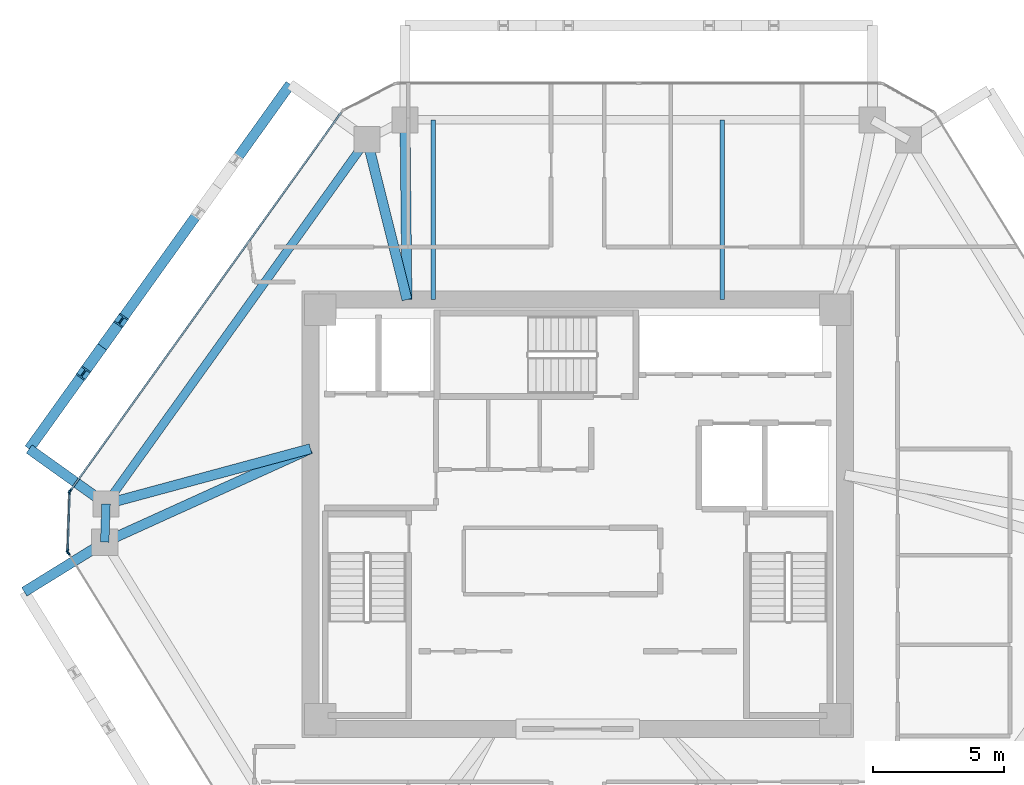
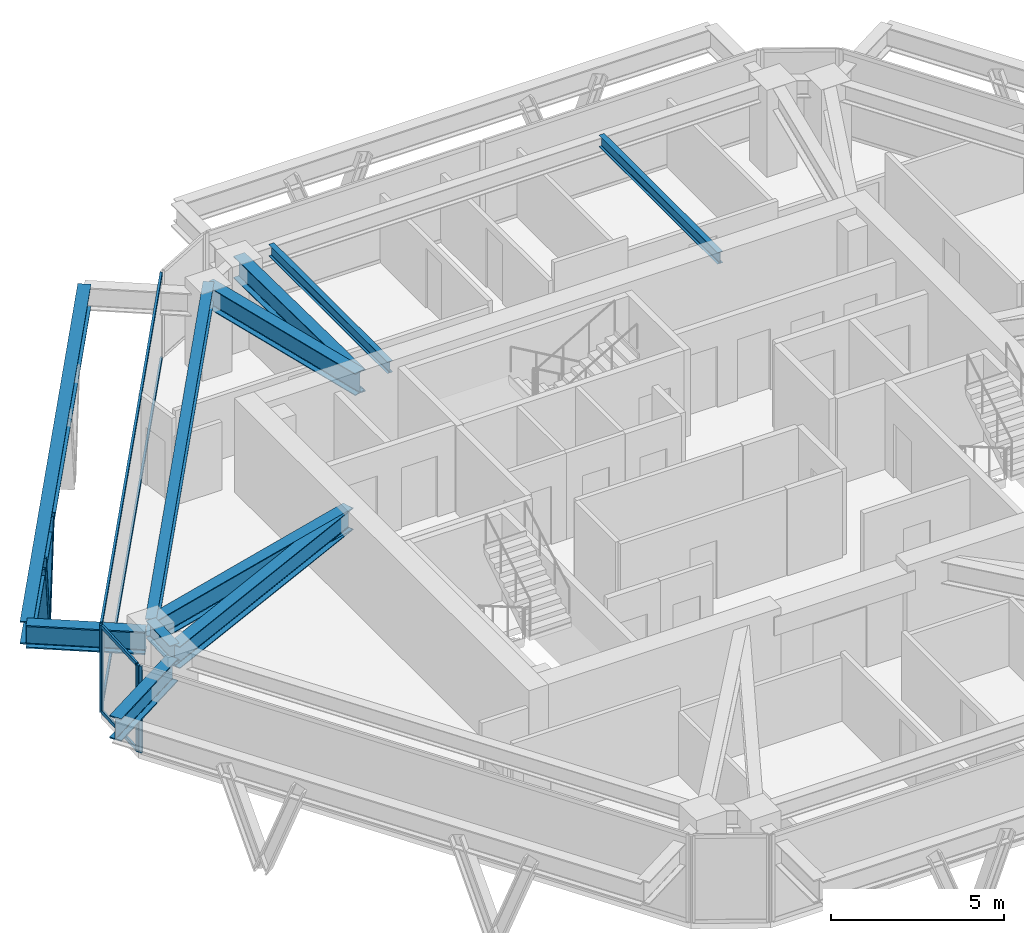
# One storey, part 4 of 11: 11 beams, 10 members, 3 elements without a shape of their own.
"""IFC4 building model written with IfcOpenShell, lengths in metres."""

import ifcopenshell
import ifcopenshell.guid

model = None  # the IFC model being written
_history = None  # IfcOwnerHistory: only IFC2X3 demands one
_inside = {}  # id of a spatial element -> (the spatial element, [elements in it])
_under = {}  # id of a project, library or spatial element -> (it, [spatial elements below it])
_declared = {}  # id of a project -> (the project, [libraries it declares])
_typed = {}  # id of a type object -> (the type object, [elements of that type])
_made_of = {}  # id of a material, layer set ... -> (it, [elements and type objects made of it])


def new_model(schema):
    """Start an empty IFC model of exactly this schema.

    Asked for "IFC4X3", IfcOpenShell would pick the latest addendum, in which some entities
    have other attributes; the version numbers below select the first issue.
    IFC2X3 requires an IfcOwnerHistory on every rooted entity: one is made here for all.
    """
    global model, _history
    if schema == "IFC4X3":
        model = ifcopenshell.file(schema_version=(4, 3, 0, 0))
    else:
        model = ifcopenshell.file(schema=schema)
    _inside.clear()
    _under.clear()
    _declared.clear()
    _typed.clear()
    _made_of.clear()
    _history = None
    if model.schema == "IFC2X3":
        org = make("IfcOrganization", Name="unknown")
        user = make(
            "IfcPersonAndOrganization",
            ThePerson=make("IfcPerson", FamilyName="unknown"),
            TheOrganization=org,
        )
        app = make(
            "IfcApplication",
            ApplicationDeveloper=org,
            Version="unknown",
            ApplicationFullName="unknown",
            ApplicationIdentifier="unknown",
        )
        _history = make(
            "IfcOwnerHistory",
            OwningUser=user,
            OwningApplication=app,
            ChangeAction="ADDED",
            CreationDate=0,
        )
    return model


def make(cls, **values):
    """One entity of the class cls with the attributes given. An attribute that is None is left unset."""
    return model.create_entity(
        cls, **{name: value for name, value in values.items() if value is not None}
    )


def rooted(cls, **values):
    """An entity with a GlobalId (a new one), such as an element, a storey or a relation."""
    return make(cls, GlobalId=ifcopenshell.guid.new(), OwnerHistory=_history, **values)


def si_unit(unit_type, name, prefix=None):
    """IfcSIUnit, for example si_unit("LENGTHUNIT", "METRE", prefix="MILLI")."""
    return make("IfcSIUnit", UnitType=unit_type, Prefix=prefix, Name=name)


def assignment(units):
    """IfcUnitAssignment: the units of a project."""
    return None if units is None else make("IfcUnitAssignment", Units=units)


def point(xyz):
    """IfcCartesianPoint."""
    return None if xyz is None else make("IfcCartesianPoint", Coordinates=xyz)


def direction(xyz):
    """IfcDirection."""
    return None if xyz is None else make("IfcDirection", DirectionRatios=xyz)


def frame(location, z_axis=None, x_axis=None):
    """IfcAxis2Placement3D, a coordinate frame: its origin and axes. An axis left out is left unset."""
    return make(
        "IfcAxis2Placement3D",
        Location=point(location),
        Axis=direction(z_axis),
        RefDirection=direction(x_axis),
    )


def frame_2d(location, x_axis=None):
    """IfcAxis2Placement2D, a coordinate frame in the plane: its origin and x axis."""
    return make(
        "IfcAxis2Placement2D", Location=point(location), RefDirection=direction(x_axis)
    )


def origin():
    """The frame at (0, 0, 0) with its axes left unset."""
    return frame((0.0, 0.0, 0.0))


def origin_2d():
    """The frame at (0, 0) in the plane with its x axis left unset."""
    return frame_2d((0.0, 0.0))


def place(relative_to, where):
    """IfcLocalPlacement: puts the frame where relative to a parent placement (None: the world)."""
    return make(
        "IfcLocalPlacement", PlacementRelTo=relative_to, RelativePlacement=where
    )


def context(
    kind, dimensions, precision=None, world=None, true_north=None, identifier=None
):
    """IfcGeometricRepresentationContext, for example the 3D "Model" context."""
    return make(
        "IfcGeometricRepresentationContext",
        ContextIdentifier=identifier,
        ContextType=kind,
        CoordinateSpaceDimension=dimensions,
        Precision=precision,
        WorldCoordinateSystem=world,
        TrueNorth=true_north,
    )


def subcontext(parent, identifier, kind, view, scale=None):
    """IfcGeometricRepresentationSubContext, for example "Body" below "Model"."""
    return make(
        "IfcGeometricRepresentationSubContext",
        ContextIdentifier=identifier,
        ContextType=kind,
        ParentContext=parent,
        TargetScale=scale,
        TargetView=view,
    )


def project(units=None, contexts=None):
    """IfcProject with its units and contexts."""
    return rooted(
        "IfcProject",
        Name="project",
        RepresentationContexts=contexts,
        UnitsInContext=assignment(units),
    )


def spatial(cls, under=None, at=None, **own):
    """A site, building, storey or space (cls), placed at a placement, below another one or the project."""
    s = rooted(cls, ObjectPlacement=at, **own)
    if under is not None:
        _under.setdefault(under.id(), (under, []))[1].append(s)
    return s


def profile(cls, at=None, kind="AREA", **sizes):
    """A parametric profile (cls). Its sizes go by their IFC names, for example OverallWidth=200.0."""
    return make(cls, ProfileType=kind, Position=at, **sizes)


def rectangle(**sizes):
    """IfcRectangleProfileDef."""
    return profile("IfcRectangleProfileDef", **sizes)


def i_section(**sizes):
    """IfcIShapeProfileDef."""
    return profile("IfcIShapeProfileDef", **sizes)


def extrude(swept, where, along, depth):
    """IfcExtrudedAreaSolid: the profile swept, set in the frame where, extruded along a direction by depth."""
    return make(
        "IfcExtrudedAreaSolid",
        SweptArea=swept,
        Position=where,
        ExtrudedDirection=direction(along),
        Depth=depth,
    )


def shape(context_of_items, identifier, shape_type, items):
    """IfcShapeRepresentation: the items that make up one representation, for example the "Body"."""
    return make(
        "IfcShapeRepresentation",
        ContextOfItems=context_of_items,
        RepresentationIdentifier=identifier,
        RepresentationType=shape_type,
        Items=items,
    )


def source(mapping_origin, context_of_items, identifier, shape_type, items):
    """IfcRepresentationMap: a shape defined once, which mapped items show again and again."""
    return make(
        "IfcRepresentationMap",
        MappingOrigin=mapping_origin,
        MappedRepresentation=shape(context_of_items, identifier, shape_type, items),
    )


def transform(
    local_origin,
    x_axis=None,
    y_axis=None,
    z_axis=None,
    scale=None,
    scale2=None,
    scale3=None,
    uniform=True,
):
    """IfcCartesianTransformationOperator3D, or its non-uniform kind. x_axis, y_axis, z_axis: its Axis1, 2, 3."""
    if uniform:
        return make(
            "IfcCartesianTransformationOperator3D",
            Axis1=direction(x_axis),
            Axis2=direction(y_axis),
            LocalOrigin=point(local_origin),
            Scale=scale,
            Axis3=direction(z_axis),
        )
    return make(
        "IfcCartesianTransformationOperator3DnonUniform",
        Axis1=direction(x_axis),
        Axis2=direction(y_axis),
        LocalOrigin=point(local_origin),
        Scale=scale,
        Axis3=direction(z_axis),
        Scale2=scale2,
        Scale3=scale3,
    )


def mapped(mapping_source, mapping_target):
    """IfcMappedItem: shows the shape of a source again, moved by a transform."""
    return make(
        "IfcMappedItem", MappingSource=mapping_source, MappingTarget=mapping_target
    )


def material(Name=None, Category=None):
    """IfcMaterial."""
    return make("IfcMaterial", Name=Name, Category=Category)


def layer(
    of_material, thickness, ventilated=None, Name=None, Category=None, Priority=None
):
    """IfcMaterialLayer: one layer of a wall or slab, of a material (None: an air gap)."""
    return make(
        "IfcMaterialLayer",
        Material=of_material,
        LayerThickness=thickness,
        IsVentilated=ventilated,
        Name=Name,
        Category=Category,
        Priority=Priority,
    )


def layer_set(layers, Name=None):
    """IfcMaterialLayerSet."""
    return make("IfcMaterialLayerSet", MaterialLayers=layers, LayerSetName=Name)


def material_profile(
    of_material, cross_section, Name=None, Category=None, Priority=None
):
    """IfcMaterialProfile: a cross section and its material."""
    return make(
        "IfcMaterialProfile",
        Name=Name,
        Material=of_material,
        Profile=cross_section,
        Priority=Priority,
        Category=Category,
    )


def profile_set(profiles, Name=None, composite=None):
    """IfcMaterialProfileSet."""
    return make(
        "IfcMaterialProfileSet",
        Name=Name,
        MaterialProfiles=profiles,
        CompositeProfile=composite,
    )


def made_of(thing, what):
    """Note that an element or type object is made of a material, layer set ...; save() writes the relation."""
    if what is not None:
        _made_of.setdefault(what.id(), (what, []))[1].append(thing)
    return thing


def type_object(cls, material=None, **own):
    """A type object (cls), such as IfcWallType, which elements share."""
    return made_of(rooted(cls, **own), material)


def type_shapes(of_type, sources):
    """Give a type object the sources (RepresentationMaps) that its elements show as mapped items."""
    of_type.RepresentationMaps = sources


def element(
    cls,
    number,
    at=None,
    inside=None,
    cuts=None,
    type_object=None,
    material=None,
    context=None,
    identifier="Body",
    shape_type=None,
    held_by="IfcProductDefinitionShape",
    body=None,
    shapes=None,
    **own,
):
    """One element of the class cls, such as IfcWall. Its Tag is "e" and its number.

    at: its placement. inside: the storey or other place that contains it. cuts: it is an
    opening in that element (IfcRelVoidsElement). A single representation is given by context,
    identifier, shape_type and body (its items); several are given by shapes. held_by: the class
    of the entity that holds the representations. save() writes the other relations.
    """
    e = rooted(cls, Tag="e%d" % number, ObjectPlacement=at, **own)
    if body is not None:
        shapes = [shape(context, identifier, shape_type, body)]
    if shapes is not None:
        e.Representation = make(held_by, Representations=shapes)
    if inside is not None:
        _inside.setdefault(inside.id(), (inside, []))[1].append(e)
    if cuts is not None:
        rooted(
            "IfcRelVoidsElement", RelatingBuildingElement=cuts, RelatedOpeningElement=e
        )
    if type_object is not None:
        _typed.setdefault(type_object.id(), (type_object, []))[1].append(e)
    return made_of(e, material)


def aggregate(whole, parts):
    """IfcRelAggregates: a whole, such as a stair, and the parts it consists of."""
    return rooted("IfcRelAggregates", RelatingObject=whole, RelatedObjects=parts)


def save(model, path):
    """Write the relations noted so far, then the file.

    IfcRelAggregates (storeys below a building ...), IfcRelContainedInSpatialStructure (elements
    in a storey), IfcRelDefinesByType, IfcRelAssociatesMaterial and IfcRelDeclares: one each for
    every whole, place, type object, material and project.
    """
    for whole, parts in _under.values():
        aggregate(whole, parts)
    for where, things in _inside.values():
        rooted(
            "IfcRelContainedInSpatialStructure",
            RelatedElements=things,
            RelatingStructure=where,
        )
    for kind, things in _typed.values():
        rooted("IfcRelDefinesByType", RelatedObjects=things, RelatingType=kind)
    for what, things in _made_of.values():
        rooted("IfcRelAssociatesMaterial", RelatedObjects=things, RelatingMaterial=what)
    for by, libraries in _declared.values():
        rooted("IfcRelDeclares", RelatingContext=by, RelatedDefinitions=libraries)
    model.write(path)


model = new_model("IFC4")

# Units and contexts
model_context = context("Model", 3, precision=1e-05, world=origin(), true_north=direction((0.0, 1.0)))
body_context = subcontext(model_context, "Body", "Model", "MODEL_VIEW")
ifc_project = project(units=[si_unit("LENGTHUNIT", "METRE"), si_unit("AREAUNIT", "SQUARE_METRE"), si_unit("VOLUMEUNIT", "CUBIC_METRE"), si_unit("PLANEANGLEUNIT", "RADIAN"), si_unit("MASSUNIT", "GRAM", prefix="KILO")], contexts=[model_context])

# Site, building, storey
site_placement = place(None, origin())
site = spatial("IfcSite", under=ifc_project, at=site_placement, CompositionType="ELEMENT")
building_placement = place(site_placement, origin())
building = spatial("IfcBuilding", under=site, at=building_placement, Name="Durnholm Broadcast Tower", CompositionType="ELEMENT")
storey_placement = place(building_placement, frame((0.0, 0.0, 177.10009765625)))
storey = spatial("IfcBuildingStorey", under=building, at=storey_placement, Name="L48", CompositionType="ELEMENT", Elevation=177.10009765625)

# Beams
ifc_material_1 = material(Name="Steel ASTM A992 Grade 50", Category="steel")
ifc_material_profile_1 = material_profile(ifc_material_1, i_section(OverallWidth=0.385009765625, OverallDepth=0.802978515625, WebThickness=0.023681640625, FlangeThickness=0.0419921875, FilletRadius=0.032958984375, at=origin_2d()), Name="W30X261")
ifc_profile_set_1 = profile_set([ifc_material_profile_1], Name="Steel ASTM A992 Grade 50")
beam_type_1 = type_object("IfcBeamType", Name="BM-EXO-TIE", PredefinedType="USERDEFINED", material=ifc_profile_set_1)
shared_shape_1 = source(origin(), body_context, "Body", "SweptSolid", [
    extrude(i_section(OverallWidth=0.385009765625, OverallDepth=0.802978515625, WebThickness=0.023681640625, FlangeThickness=0.0419921875, FilletRadius=0.032958984375, at=origin_2d()), origin(), (0.0, 0.0, 1.0), 3.4560546875),
])
beam_1_placement = place(storey_placement, frame((-18.131591796875, -1.13232421875, 2.308349609375), z_axis=(-0.850662348375, -0.525712439512, 0.0), x_axis=(0.525712439512, -0.850662348375, 0.0)))
element("IfcBeam", 1, at=beam_1_placement, inside=storey, type_object=beam_type_1, Name="L48 exoskeleton stand-off tie bracket F6.1", ObjectType="GIRDER", PredefinedType="USERDEFINED", context=body_context, shape_type="MappedRepresentation", body=[
    mapped(shared_shape_1, transform((0.0, 0.0, 0.0), x_axis=(1.0, 0.0, 0.0), y_axis=(0.0, 1.0, 0.0), z_axis=(0.0, 0.0, 1.0), scale=1.0)),
])
shared_shape_2 = source(origin(), body_context, "Body", "SweptSolid", [
    extrude(i_section(OverallWidth=0.385009765625, OverallDepth=0.802978515625, WebThickness=0.023681640625, FlangeThickness=0.0419921875, FilletRadius=0.032958984375, at=origin_2d()), origin(), (0.0, 0.0, 1.0), 3.455810546875),
])
beam_2_placement = place(storey_placement, frame((-18.076904296875, 0.4794921875, 2.308349609375), z_axis=(-0.813112485828, 0.582106592808, 0.0), x_axis=(-0.582106592808, -0.813112485828, 0.0)))
element("IfcBeam", 2, at=beam_2_placement, inside=storey, type_object=beam_type_1, Name="L48 exoskeleton stand-off tie bracket F5.2", ObjectType="GIRDER", PredefinedType="USERDEFINED", context=body_context, shape_type="MappedRepresentation", body=[
    mapped(shared_shape_2, transform((0.0, 0.0, 0.0), x_axis=(1.0, 0.0, 0.0), y_axis=(0.0, 1.0, 0.0), z_axis=(0.0, 0.0, 1.0), scale=1.0)),
])
ifc_material_profile_2 = material_profile(ifc_material_1, i_section(OverallWidth=0.3251953125, OverallDepth=0.6162109375, WebThickness=0.013916015625, FlangeThickness=0.021484375, FilletRadius=0.02783203125, at=origin_2d()), Name="W24X117")
ifc_profile_set_2 = profile_set([ifc_material_profile_2], Name="Steel ASTM A992 Grade 50")
beam_type_2 = type_object("IfcBeamType", Name="STL-SP-W24X117", PredefinedType="SPANDREL", material=ifc_profile_set_2)
shared_shape_3 = source(origin(), body_context, "Body", "SweptSolid", [
    extrude(i_section(OverallWidth=0.3251953125, OverallDepth=0.6162109375, WebThickness=0.013916015625, FlangeThickness=0.021484375, FilletRadius=0.02783203125, at=origin_2d()), origin(), (0.0, 0.0, 1.0), 1.452880859375),
])
beam_3_placement = place(storey_placement, frame((-18.009033203125, -1.056640625, 2.73681640625), z_axis=(0.03377359304, 0.999429509477, 0.0), x_axis=(-0.999429509477, 0.03377359304, 0.0)))
element("IfcBeam", 3, at=beam_3_placement, inside=storey, type_object=beam_type_2, Name="L48 perimeter spandrel girder 02", PredefinedType="SPANDREL", context=body_context, shape_type="MappedRepresentation", body=[
    mapped(shared_shape_3, transform((0.0, 0.0, 0.0), x_axis=(1.0, 0.0, 0.0), y_axis=(0.0, 1.0, 0.0), z_axis=(0.0, 0.0, 1.0), scale=1.0)),
])
shared_shape_4 = source(origin(), body_context, "Body", "SweptSolid", [
    extrude(i_section(OverallWidth=0.3251953125, OverallDepth=0.6162109375, WebThickness=0.013916015625, FlangeThickness=0.021484375, FilletRadius=0.02783203125, at=origin_2d()), origin(), (0.0, 0.0, 1.0), 17.07177734375),
])
type_shapes(beam_type_2, [shared_shape_3, shared_shape_4])
beam_4_placement = place(storey_placement, frame((-17.9599609375, 0.3955078125, 2.73681640625), z_axis=(0.582142843258, 0.813086532937, 0.0), x_axis=(-0.813086532937, 0.582142843258, 0.0)))
element("IfcBeam", 4, at=beam_4_placement, inside=storey, type_object=beam_type_2, Name="L48 perimeter spandrel girder 03", PredefinedType="SPANDREL", context=body_context, shape_type="MappedRepresentation", body=[
    mapped(shared_shape_4, transform((0.0, 0.0, 0.0), x_axis=(1.0, 0.0, 0.0), y_axis=(0.0, 1.0, 0.0), z_axis=(0.0, 0.0, 1.0), scale=1.0)),
])
shared_shape_5 = source(origin(), body_context, "Body", "SweptSolid", [
    extrude(i_section(OverallWidth=0.385009765625, OverallDepth=0.802978515625, WebThickness=0.023681640625, FlangeThickness=0.0419921875, FilletRadius=0.032958984375, at=origin_2d()), origin(), (0.0, 0.0, 1.0), 17.07177734375),
])
type_shapes(beam_type_1, [shared_shape_1, shared_shape_2, shared_shape_5])
beam_5_placement = place(storey_placement, frame((-10.948974609375, 16.3720703125, 2.308349609375), z_axis=(-0.582133388739, -0.813093301974, 0.0), x_axis=(0.813093301974, -0.582133388739, 0.0)))
element("IfcBeam", 5, at=beam_5_placement, inside=storey, type_object=beam_type_1, Name="L48 exoskeleton collector spandrel F5", PredefinedType="SPANDREL", context=body_context, shape_type="MappedRepresentation", body=[
    mapped(shared_shape_5, transform((0.0, 0.0, 0.0), x_axis=(1.0, 0.0, 0.0), y_axis=(0.0, 1.0, 0.0), z_axis=(0.0, 0.0, 1.0), scale=1.0)),
])
ifc_material_profile_3 = material_profile(ifc_material_1, i_section(OverallWidth=0.380615234375, OverallDepth=0.773193359375, WebThickness=0.0166015625, FlangeThickness=0.027099609375, FilletRadius=0.032958984375, at=origin_2d()), Name="W30X173")
ifc_profile_set_3 = profile_set([ifc_material_profile_3], Name="Steel ASTM A992 Grade 50")
beam_type_3 = type_object("IfcBeamType", Name="STL-GR-W30X173", PredefinedType="USERDEFINED", material=ifc_profile_set_3)
shared_shape_6 = source(origin(), body_context, "Body", "SweptSolid", [
    extrude(i_section(OverallWidth=0.380615234375, OverallDepth=0.773193359375, WebThickness=0.0166015625, FlangeThickness=0.027099609375, FilletRadius=0.032958984375, at=origin_2d()), origin(), (0.0, 0.0, 1.0), 8.603515625),
])
beam_6_placement = place(storey_placement, frame((-10.175048828125, 2.5, 2.658203125), z_axis=(-0.910552971728, -0.413392411248, 0.0), x_axis=(0.413392411248, -0.910552971728, 0.0)))
element("IfcBeam", 6, at=beam_6_placement, inside=storey, type_object=beam_type_3, Name="L48 radial primary floor girder 02", ObjectType="GIRDER", PredefinedType="USERDEFINED", context=body_context, shape_type="MappedRepresentation", body=[
    mapped(shared_shape_6, transform((0.0, 0.0, 0.0), x_axis=(1.0, 0.0, 0.0), y_axis=(0.0, 1.0, 0.0), z_axis=(0.0, 0.0, 1.0), scale=1.0)),
])
shared_shape_7 = source(origin(), body_context, "Body", "SweptSolid", [
    extrude(i_section(OverallWidth=0.380615234375, OverallDepth=0.773193359375, WebThickness=0.0166015625, FlangeThickness=0.027099609375, FilletRadius=0.032958984375, at=origin_2d()), origin(), (0.0, 0.0, 1.0), 8.064453125),
])
beam_7_placement = place(storey_placement, frame((-10.175048828125, 2.5, 2.658203125), z_axis=(-0.96534896552, -0.260962401066, 0.0), x_axis=(0.260962401066, -0.96534896552, 0.0)))
element("IfcBeam", 7, at=beam_7_placement, inside=storey, type_object=beam_type_3, Name="L48 radial primary floor girder 03", ObjectType="GIRDER", PredefinedType="USERDEFINED", context=body_context, shape_type="MappedRepresentation", body=[
    mapped(shared_shape_7, transform((0.0, 0.0, 0.0), x_axis=(1.0, 0.0, 0.0), y_axis=(0.0, 1.0, 0.0), z_axis=(0.0, 0.0, 1.0), scale=1.0)),
])
shared_shape_8 = source(origin(), body_context, "Body", "SweptSolid", [
    extrude(i_section(OverallWidth=0.380615234375, OverallDepth=0.773193359375, WebThickness=0.0166015625, FlangeThickness=0.027099609375, FilletRadius=0.032958984375, at=origin_2d()), origin(), (0.0, 0.0, 1.0), 6.288330078125),
])
beam_8_placement = place(storey_placement, frame((-6.5, 8.175048828125, 2.658203125), z_axis=(-0.241996604408, 0.970277096223, 0.0), x_axis=(-0.970277096223, -0.241996604408, 0.0)))
element("IfcBeam", 8, at=beam_8_placement, inside=storey, type_object=beam_type_3, Name="L48 radial primary floor girder 04", ObjectType="GIRDER", PredefinedType="USERDEFINED", context=body_context, shape_type="MappedRepresentation", body=[
    mapped(shared_shape_8, transform((0.0, 0.0, 0.0), x_axis=(1.0, 0.0, 0.0), y_axis=(0.0, 1.0, 0.0), z_axis=(0.0, 0.0, 1.0), scale=1.0)),
])
shared_shape_9 = source(origin(), body_context, "Body", "SweptSolid", [
    extrude(i_section(OverallWidth=0.380615234375, OverallDepth=0.773193359375, WebThickness=0.0166015625, FlangeThickness=0.027099609375, FilletRadius=0.032958984375, at=origin_2d()), origin(), (0.0, 0.0, 1.0), 6.843505859375),
])
type_shapes(beam_type_3, [shared_shape_6, shared_shape_7, shared_shape_8, shared_shape_9])
beam_9_placement = place(storey_placement, frame((-6.5, 8.175048828125, 2.658203125), z_axis=(-0.011487343604, 0.999934018292, 0.0), x_axis=(-0.999934018292, -0.011487343604, 0.0)))
element("IfcBeam", 9, at=beam_9_placement, inside=storey, type_object=beam_type_3, Name="L48 radial primary floor girder 05", ObjectType="GIRDER", PredefinedType="USERDEFINED", context=body_context, shape_type="MappedRepresentation", body=[
    mapped(shared_shape_9, transform((0.0, 0.0, 0.0), x_axis=(1.0, 0.0, 0.0), y_axis=(0.0, 1.0, 0.0), z_axis=(0.0, 0.0, 1.0), scale=1.0)),
])
ifc_material_profile_4 = material_profile(ifc_material_1, i_section(OverallWidth=0.177734375, OverallDepth=0.40673828125, WebThickness=0.0078125, FlangeThickness=0.0126953125, FilletRadius=0.01904296875, at=origin_2d()), Name="W16X40")
ifc_profile_set_4 = profile_set([ifc_material_profile_4], Name="Steel ASTM A992 Grade 50")
beam_type_4 = type_object("IfcBeamType", Name="STL-BJ-W16X40", PredefinedType="JOIST", material=ifc_profile_set_4)
shared_shape_10 = source(origin(), body_context, "Body", "SweptSolid", [
    extrude(i_section(OverallWidth=0.177734375, OverallDepth=0.40673828125, WebThickness=0.0078125, FlangeThickness=0.0126953125, FilletRadius=0.01904296875, at=origin_2d()), origin(), (0.0, 0.0, 1.0), 6.843017578125),
])
type_shapes(beam_type_4, [shared_shape_10])
for number, where, z_axis, x_axis, name in (
    (10, (-5.5, 8.175048828125, 2.841552734375), (0.0, 1.0, 0.0), (-1.0, 0.0, 0.0), "L48 secondary floor joist 3.2"),
    (11, (5.5, 8.175048828125, 2.841552734375), (0.0, 1.0, 0.0), (-1.0, 0.0, 0.0), "L48 secondary floor joist 4.2"),
):
    element("IfcBeam", number, at=place(storey_placement, frame(where, z_axis=z_axis, x_axis=x_axis)), inside=storey, type_object=beam_type_4, Name=name, PredefinedType="JOIST", context=body_context, shape_type="MappedRepresentation", body=[
        mapped(shared_shape_10, transform((0.0, 0.0, 0.0), x_axis=(1.0, 0.0, 0.0), y_axis=(0.0, 1.0, 0.0), z_axis=(0.0, 0.0, 1.0), scale=1.0)),
    ])

# Members
ifc_material_2 = material(Name="Steel ASTM A913 Grade 65", Category="steel")
ifc_material_profile_5 = material_profile(ifc_material_2, i_section(OverallWidth=0.412109375, OverallDepth=0.434814453125, WebThickness=0.035888671875, FlangeThickness=0.057373046875, FilletRadius=0.030517578125, at=origin_2d()), Name="W14X311")
ifc_profile_set_5 = profile_set([ifc_material_profile_5], Name="Steel ASTM A913 Grade 65")
member_type_1 = type_object("IfcMemberType", Name="STL-DG-W14X311", PredefinedType="BRACE", material=ifc_profile_set_5)
shared_shape_11 = source(origin(), body_context, "Body", "SweptSolid", [
    extrude(i_section(OverallWidth=0.412109375, OverallDepth=0.434814453125, WebThickness=0.035888671875, FlangeThickness=0.057373046875, FilletRadius=0.030517578125, at=origin_2d()), origin(), (0.0, 0.0, 1.0), 3.52294921875),
])
type_shapes(member_type_1, [shared_shape_11])
for number, where, z_axis, x_axis, name in (
    (12, (-18.1044921875, 6.3779296875, -0.991455078125), (0.203882467945, 0.284756308901, 0.936667381628), (-0.813077820009, 0.582155012526, 0.0), "L48 stand-off diagrid brace F5.D2.1"),
    (13, (-18.1044921875, 6.3779296875, -0.991455078125), (-0.203816046596, -0.284760331677, 0.936680614005), (0.813171482985, -0.58202417412, 0.0), "L48 stand-off diagrid brace F5.D2.2"),
):
    element("IfcMember", number, at=place(storey_placement, frame(where, z_axis=z_axis, x_axis=x_axis)), inside=storey, type_object=member_type_1, Name=name, PredefinedType="BRACE", context=body_context, shape_type="MappedRepresentation", body=[
        mapped(shared_shape_11, transform((0.0, 0.0, 0.0), x_axis=(1.0, 0.0, 0.0), y_axis=(0.0, 1.0, 0.0), z_axis=(0.0, 0.0, 1.0), scale=1.0)),
    ])

# Curtain wall, members
ifc_material_3 = material(Name="Aluminium and Solar Control IGU", Category="aluminium")
ifc_layer_1 = layer(ifc_material_3, 0.1650390625)
ifc_layer_set_1 = layer_set([ifc_layer_1], Name="Aluminium and Solar Control IGU")
curtain_wall_type_1 = type_object("IfcCurtainWallType", Name="CW-SYS-5", PredefinedType="NOTDEFINED", material=ifc_layer_set_1)
curtain_wall_1_placement = place(storey_placement, origin())
curtain_wall_1 = element("IfcCurtainWall", 14, at=curtain_wall_1_placement, inside=storey, type_object=curtain_wall_type_1, Name="L48 curtain wall CW-CORNER CW-L48-CRN-01", PredefinedType="NOTDEFINED")
ifc_material_4 = material(Name="Aluminium 6063-T6", Category="aluminium")
ifc_material_profile_6 = material_profile(ifc_material_4, rectangle(XDim=0.06494140625, YDim=0.1650390625, at=origin_2d()), Name="CWM65X165")
ifc_profile_set_6 = profile_set([ifc_material_profile_6], Name="Aluminium 6063-T6")
member_type_2 = type_object("IfcMemberType", Name="CW-SYS-5-MUL", PredefinedType="MULLION", material=ifc_profile_set_6)
shared_shape_12 = source(origin(), body_context, "Body", "SweptSolid", [
    extrude(rectangle(XDim=0.06494140625, YDim=0.1650390625, at=origin_2d()), origin(), (0.0, 0.0, 1.0), 3.059814453125),
])
type_shapes(member_type_2, [shared_shape_12])
member_1_placement = place(storey_placement, frame((-19.421630859375, -1.39990234375, 0.0), z_axis=(0.0, 0.0, 1.0), x_axis=(-0.999424798802, 0.033912704699, 0.0)))
member_1 = element("IfcMember", 15, at=member_1_placement, type_object=member_type_2, Name="CW-CORNER mullion 1", PredefinedType="MULLION", context=body_context, shape_type="MappedRepresentation", body=[
    mapped(shared_shape_12, transform((0.0, 0.0, 0.0), x_axis=(1.0, 0.0, 0.0), y_axis=(0.0, 1.0, 0.0), z_axis=(0.0, 0.0, 1.0), scale=1.0)),
])
member_2_placement = place(storey_placement, frame((-19.345703125, 0.833740234375, 0.0), z_axis=(0.0, 0.0, 1.0), x_axis=(-0.999424798802, 0.033912704699, 0.0)))
member_2 = element("IfcMember", 16, at=member_2_placement, type_object=member_type_2, Name="CW-CORNER mullion 2", PredefinedType="MULLION", context=body_context, shape_type="MappedRepresentation", body=[
    mapped(shared_shape_12, transform((0.0, 0.0, 0.0), x_axis=(1.0, 0.0, 0.0), y_axis=(0.0, 1.0, 0.0), z_axis=(0.0, 0.0, 1.0), scale=1.0)),
])
ifc_material_profile_7 = material_profile(ifc_material_4, rectangle(XDim=0.06494140625, YDim=0.1298828125, at=origin_2d()), Name="CWT65X130")
ifc_profile_set_7 = profile_set([ifc_material_profile_7], Name="Aluminium 6063-T6")
member_type_3 = type_object("IfcMemberType", Name="CW-SYS-5-TRN", PredefinedType="USERDEFINED", material=ifc_profile_set_7)
shared_shape_13 = source(origin(), body_context, "Body", "SweptSolid", [
    extrude(rectangle(XDim=0.06494140625, YDim=0.1298828125, at=origin_2d()), origin(), (0.0, 0.0, 1.0), 2.169921875),
])
type_shapes(member_type_3, [shared_shape_13])
member_3_placement = place(storey_placement, frame((-19.42041015625, -1.367431640625, 0.032470703125), z_axis=(0.033865512339, 0.999426399028, 0.0), x_axis=(-0.999426399028, 0.033865512339, 0.0)))
member_3 = element("IfcMember", 17, at=member_3_placement, type_object=member_type_3, Name="CW-CORNER transom 1.1", ObjectType="TRANSOM", PredefinedType="USERDEFINED", context=body_context, shape_type="MappedRepresentation", body=[
    mapped(shared_shape_13, transform((0.0, 0.0, 0.0), x_axis=(1.0, 0.0, 0.0), y_axis=(0.0, 1.0, 0.0), z_axis=(0.0, 0.0, 1.0), scale=1.0)),
])
member_4_placement = place(storey_placement, frame((-19.42041015625, -1.367431640625, 3.02734375), z_axis=(0.033865512339, 0.999426399028, 0.0), x_axis=(-0.999426399028, 0.033865512339, 0.0)))
member_4 = element("IfcMember", 18, at=member_4_placement, type_object=member_type_3, Name="CW-CORNER transom 1.2", ObjectType="TRANSOM", PredefinedType="USERDEFINED", context=body_context, shape_type="MappedRepresentation", body=[
    mapped(shared_shape_13, transform((0.0, 0.0, 0.0), x_axis=(1.0, 0.0, 0.0), y_axis=(0.0, 1.0, 0.0), z_axis=(0.0, 0.0, 1.0), scale=1.0)),
])
aggregate(curtain_wall_1, [member_1, member_2, member_3, member_4])

ifc_layer_2 = layer(ifc_material_3, 0.18994140625)
ifc_layer_set_2 = layer_set([ifc_layer_2], Name="Aluminium and Solar Control IGU")
curtain_wall_type_2 = type_object("IfcCurtainWallType", Name="CW-SYS-4", PredefinedType="NOTDEFINED", material=ifc_layer_set_2)
curtain_wall_2_placement = place(storey_placement, origin())
curtain_wall_2 = element("IfcCurtainWall", 19, at=curtain_wall_2_placement, inside=storey, type_object=curtain_wall_type_2, Name="L48 curtain wall CW-Z34-VIS CW-L48-F02", PredefinedType="NOTDEFINED")
ifc_material_profile_8 = material_profile(ifc_material_4, rectangle(XDim=0.070068359375, YDim=0.14990234375, at=origin_2d()), Name="CWT70X150")
ifc_profile_set_8 = profile_set([ifc_material_profile_8], Name="Aluminium 6063-T6")
member_type_4 = type_object("IfcMemberType", Name="CW-SYS-4-TRN", PredefinedType="USERDEFINED", material=ifc_profile_set_8)
shared_shape_14 = source(origin(), body_context, "Body", "SweptSolid", [
    extrude(rectangle(XDim=0.070068359375, YDim=0.14990234375, at=origin_2d()), origin(), (0.0, 0.0, 1.0), 17.69384765625),
])
type_shapes(member_type_4, [shared_shape_14])
member_5_placement = place(storey_placement, frame((-19.303955078125, 0.923095703125, 0.034912109375), z_axis=(0.582138438195, 0.813089686797, 0.0), x_axis=(-0.813089686797, 0.582138438195, 0.0)))
member_5 = element("IfcMember", 20, at=member_5_placement, type_object=member_type_4, Name="CW-Z34-VIS transom 1.1", ObjectType="TRANSOM", PredefinedType="USERDEFINED", context=body_context, shape_type="MappedRepresentation", body=[
    mapped(shared_shape_14, transform((0.0, 0.0, 0.0), x_axis=(1.0, 0.0, 0.0), y_axis=(0.0, 1.0, 0.0), z_axis=(0.0, 0.0, 1.0), scale=1.0)),
])
member_6_placement = place(storey_placement, frame((-19.303955078125, 0.923095703125, 3.02490234375), z_axis=(0.582138438195, 0.813089686797, 0.0), x_axis=(-0.813089686797, 0.582138438195, 0.0)))
member_6 = element("IfcMember", 21, at=member_6_placement, type_object=member_type_4, Name="CW-Z34-VIS transom 1.2", ObjectType="TRANSOM", PredefinedType="USERDEFINED", context=body_context, shape_type="MappedRepresentation", body=[
    mapped(shared_shape_14, transform((0.0, 0.0, 0.0), x_axis=(1.0, 0.0, 0.0), y_axis=(0.0, 1.0, 0.0), z_axis=(0.0, 0.0, 1.0), scale=1.0)),
])
ifc_material_profile_9 = material_profile(ifc_material_4, rectangle(XDim=0.070068359375, YDim=0.18994140625, at=origin_2d()), Name="CWM70X190")
ifc_profile_set_9 = profile_set([ifc_material_profile_9], Name="Aluminium 6063-T6")
member_type_5 = type_object("IfcMemberType", Name="CW-SYS-4-MUL", PredefinedType="MULLION", material=ifc_profile_set_9)
shared_shape_15 = source(origin(), body_context, "Body", "SweptSolid", [
    extrude(rectangle(XDim=0.070068359375, YDim=0.18994140625, at=origin_2d()), origin(), (0.0, 0.0, 1.0), 3.059814453125),
])
type_shapes(member_type_5, [shared_shape_15])
member_7_placement = place(storey_placement, frame((-19.32421875, 0.894775390625, 0.0), z_axis=(0.0, 0.0, 1.0), x_axis=(-0.813089262696, 0.582139030549, 0.0)))
member_7 = element("IfcMember", 22, at=member_7_placement, type_object=member_type_5, Name="CW-Z34-VIS mullion 1", PredefinedType="MULLION", context=body_context, shape_type="MappedRepresentation", body=[
    mapped(shared_shape_15, transform((0.0, 0.0, 0.0), x_axis=(1.0, 0.0, 0.0), y_axis=(0.0, 1.0, 0.0), z_axis=(0.0, 0.0, 1.0), scale=1.0)),
])
aggregate(curtain_wall_2, [member_7, member_5, member_6])

# Curtain wall, member
curtain_wall_3_placement = place(storey_placement, origin())
curtain_wall_3 = element("IfcCurtainWall", 23, at=curtain_wall_3_placement, inside=storey, type_object=curtain_wall_type_2, Name="L48 curtain wall CW-Z34-VIS CW-L48-F12", PredefinedType="NOTDEFINED")
member_8_placement = place(storey_placement, frame((-19.404296875, -1.462158203125, 0.0), z_axis=(0.0, 0.0, 1.0), x_axis=(-0.850671426092, -0.525697750452, 0.0)))
member_8 = element("IfcMember", 24, at=member_8_placement, type_object=member_type_5, Name="CW-Z34-VIS mullion 2", PredefinedType="MULLION", context=body_context, shape_type="MappedRepresentation", body=[
    mapped(shared_shape_15, transform((0.0, 0.0, 0.0), x_axis=(1.0, 0.0, 0.0), y_axis=(0.0, 1.0, 0.0), z_axis=(0.0, 0.0, 1.0), scale=1.0)),
])
aggregate(curtain_wall_3, [member_8])

save(model, "model.ifc")
